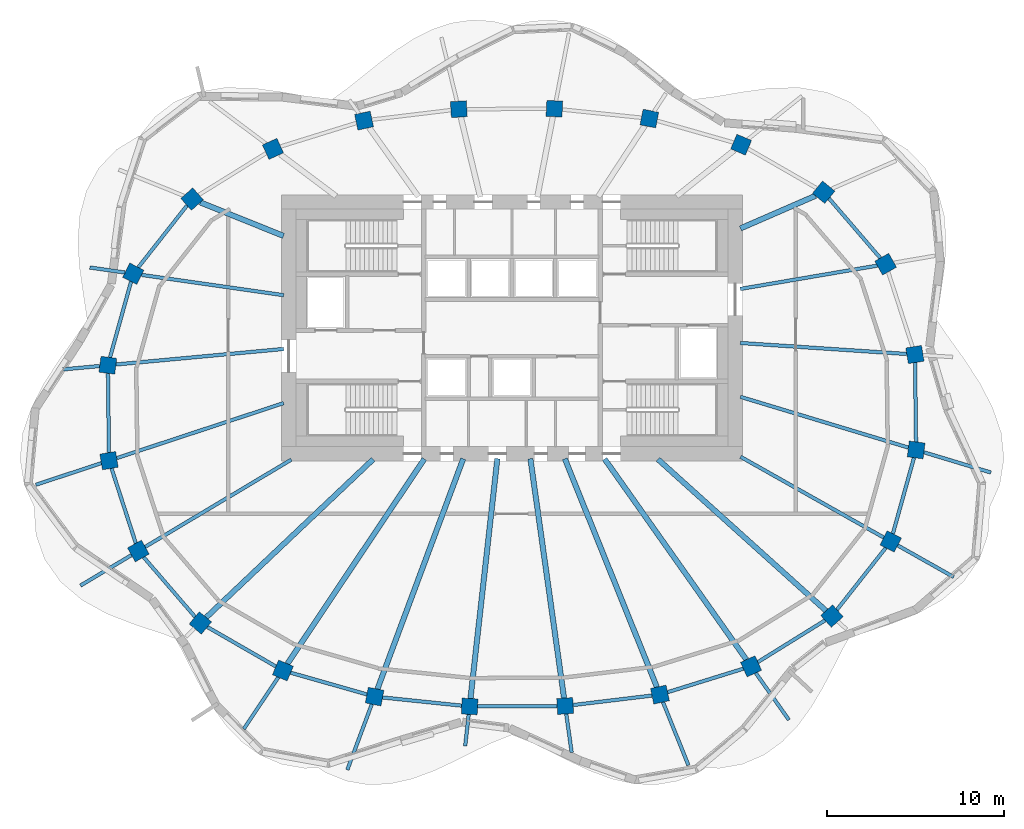
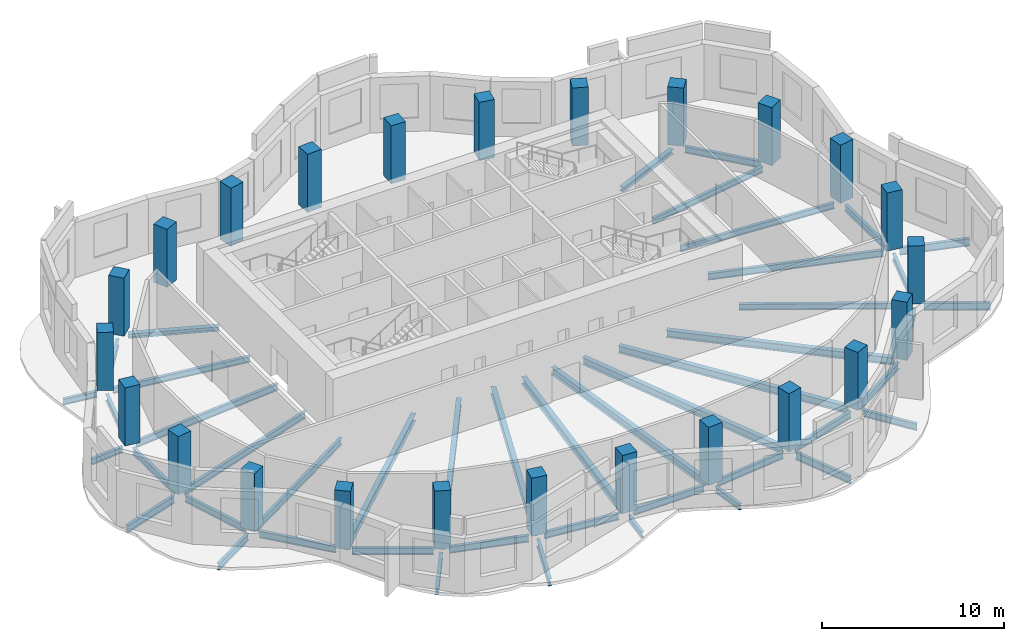
# One storey, part 1 of 8: 46 beams, 24 columns.
"""IFC4 building model written with IfcOpenShell, lengths in metres."""

import ifcopenshell
import ifcopenshell.guid

model = None  # the IFC model being written
_history = None  # IfcOwnerHistory: only IFC2X3 demands one
_inside = {}  # id of a spatial element -> (the spatial element, [elements in it])
_under = {}  # id of a project, library or spatial element -> (it, [spatial elements below it])
_declared = {}  # id of a project -> (the project, [libraries it declares])
_typed = {}  # id of a type object -> (the type object, [elements of that type])
_made_of = {}  # id of a material, layer set ... -> (it, [elements and type objects made of it])


def new_model(schema):
    """Start an empty IFC model of exactly this schema.

    Asked for "IFC4X3", IfcOpenShell would pick the latest addendum, in which some entities
    have other attributes; the version numbers below select the first issue.
    IFC2X3 requires an IfcOwnerHistory on every rooted entity: one is made here for all.
    """
    global model, _history
    if schema == "IFC4X3":
        model = ifcopenshell.file(schema_version=(4, 3, 0, 0))
    else:
        model = ifcopenshell.file(schema=schema)
    _inside.clear()
    _under.clear()
    _declared.clear()
    _typed.clear()
    _made_of.clear()
    _history = None
    if model.schema == "IFC2X3":
        org = make("IfcOrganization", Name="unknown")
        user = make(
            "IfcPersonAndOrganization",
            ThePerson=make("IfcPerson", FamilyName="unknown"),
            TheOrganization=org,
        )
        app = make(
            "IfcApplication",
            ApplicationDeveloper=org,
            Version="unknown",
            ApplicationFullName="unknown",
            ApplicationIdentifier="unknown",
        )
        _history = make(
            "IfcOwnerHistory",
            OwningUser=user,
            OwningApplication=app,
            ChangeAction="ADDED",
            CreationDate=0,
        )
    return model


def make(cls, **values):
    """One entity of the class cls with the attributes given. An attribute that is None is left unset."""
    return model.create_entity(
        cls, **{name: value for name, value in values.items() if value is not None}
    )


def rooted(cls, **values):
    """An entity with a GlobalId (a new one), such as an element, a storey or a relation."""
    return make(cls, GlobalId=ifcopenshell.guid.new(), OwnerHistory=_history, **values)


def si_unit(unit_type, name, prefix=None):
    """IfcSIUnit, for example si_unit("LENGTHUNIT", "METRE", prefix="MILLI")."""
    return make("IfcSIUnit", UnitType=unit_type, Prefix=prefix, Name=name)


def assignment(units):
    """IfcUnitAssignment: the units of a project."""
    return None if units is None else make("IfcUnitAssignment", Units=units)


def point(xyz):
    """IfcCartesianPoint."""
    return None if xyz is None else make("IfcCartesianPoint", Coordinates=xyz)


def direction(xyz):
    """IfcDirection."""
    return None if xyz is None else make("IfcDirection", DirectionRatios=xyz)


def frame(location, z_axis=None, x_axis=None):
    """IfcAxis2Placement3D, a coordinate frame: its origin and axes. An axis left out is left unset."""
    return make(
        "IfcAxis2Placement3D",
        Location=point(location),
        Axis=direction(z_axis),
        RefDirection=direction(x_axis),
    )


def frame_2d(location, x_axis=None):
    """IfcAxis2Placement2D, a coordinate frame in the plane: its origin and x axis."""
    return make(
        "IfcAxis2Placement2D", Location=point(location), RefDirection=direction(x_axis)
    )


def origin():
    """The frame at (0, 0, 0) with its axes left unset."""
    return frame((0.0, 0.0, 0.0))


def origin_2d():
    """The frame at (0, 0) in the plane with its x axis left unset."""
    return frame_2d((0.0, 0.0))


def place(relative_to, where):
    """IfcLocalPlacement: puts the frame where relative to a parent placement (None: the world)."""
    return make(
        "IfcLocalPlacement", PlacementRelTo=relative_to, RelativePlacement=where
    )


def context(
    kind, dimensions, precision=None, world=None, true_north=None, identifier=None
):
    """IfcGeometricRepresentationContext, for example the 3D "Model" context."""
    return make(
        "IfcGeometricRepresentationContext",
        ContextIdentifier=identifier,
        ContextType=kind,
        CoordinateSpaceDimension=dimensions,
        Precision=precision,
        WorldCoordinateSystem=world,
        TrueNorth=true_north,
    )


def subcontext(parent, identifier, kind, view, scale=None):
    """IfcGeometricRepresentationSubContext, for example "Body" below "Model"."""
    return make(
        "IfcGeometricRepresentationSubContext",
        ContextIdentifier=identifier,
        ContextType=kind,
        ParentContext=parent,
        TargetScale=scale,
        TargetView=view,
    )


def project(units=None, contexts=None):
    """IfcProject with its units and contexts."""
    return rooted(
        "IfcProject",
        Name="project",
        RepresentationContexts=contexts,
        UnitsInContext=assignment(units),
    )


def spatial(cls, under=None, at=None, **own):
    """A site, building, storey or space (cls), placed at a placement, below another one or the project."""
    s = rooted(cls, ObjectPlacement=at, **own)
    if under is not None:
        _under.setdefault(under.id(), (under, []))[1].append(s)
    return s


def profile(cls, at=None, kind="AREA", **sizes):
    """A parametric profile (cls). Its sizes go by their IFC names, for example OverallWidth=200.0."""
    return make(cls, ProfileType=kind, Position=at, **sizes)


def rectangle(**sizes):
    """IfcRectangleProfileDef."""
    return profile("IfcRectangleProfileDef", **sizes)


def i_section(**sizes):
    """IfcIShapeProfileDef."""
    return profile("IfcIShapeProfileDef", **sizes)


def extrude(swept, where, along, depth):
    """IfcExtrudedAreaSolid: the profile swept, set in the frame where, extruded along a direction by depth."""
    return make(
        "IfcExtrudedAreaSolid",
        SweptArea=swept,
        Position=where,
        ExtrudedDirection=direction(along),
        Depth=depth,
    )


def shape(context_of_items, identifier, shape_type, items):
    """IfcShapeRepresentation: the items that make up one representation, for example the "Body"."""
    return make(
        "IfcShapeRepresentation",
        ContextOfItems=context_of_items,
        RepresentationIdentifier=identifier,
        RepresentationType=shape_type,
        Items=items,
    )


def material(Name=None, Category=None):
    """IfcMaterial."""
    return make("IfcMaterial", Name=Name, Category=Category)


def material_profile(
    of_material, cross_section, Name=None, Category=None, Priority=None
):
    """IfcMaterialProfile: a cross section and its material."""
    return make(
        "IfcMaterialProfile",
        Name=Name,
        Material=of_material,
        Profile=cross_section,
        Priority=Priority,
        Category=Category,
    )


def profile_set(profiles, Name=None, composite=None):
    """IfcMaterialProfileSet."""
    return make(
        "IfcMaterialProfileSet",
        Name=Name,
        MaterialProfiles=profiles,
        CompositeProfile=composite,
    )


def made_of(thing, what):
    """Note that an element or type object is made of a material, layer set ...; save() writes the relation."""
    if what is not None:
        _made_of.setdefault(what.id(), (what, []))[1].append(thing)
    return thing


def type_object(cls, material=None, **own):
    """A type object (cls), such as IfcWallType, which elements share."""
    return made_of(rooted(cls, **own), material)


def element(
    cls,
    number,
    at=None,
    inside=None,
    cuts=None,
    type_object=None,
    material=None,
    context=None,
    identifier="Body",
    shape_type=None,
    held_by="IfcProductDefinitionShape",
    body=None,
    shapes=None,
    **own,
):
    """One element of the class cls, such as IfcWall. Its Tag is "e" and its number.

    at: its placement. inside: the storey or other place that contains it. cuts: it is an
    opening in that element (IfcRelVoidsElement). A single representation is given by context,
    identifier, shape_type and body (its items); several are given by shapes. held_by: the class
    of the entity that holds the representations. save() writes the other relations.
    """
    e = rooted(cls, Tag="e%d" % number, ObjectPlacement=at, **own)
    if body is not None:
        shapes = [shape(context, identifier, shape_type, body)]
    if shapes is not None:
        e.Representation = make(held_by, Representations=shapes)
    if inside is not None:
        _inside.setdefault(inside.id(), (inside, []))[1].append(e)
    if cuts is not None:
        rooted(
            "IfcRelVoidsElement", RelatingBuildingElement=cuts, RelatedOpeningElement=e
        )
    if type_object is not None:
        _typed.setdefault(type_object.id(), (type_object, []))[1].append(e)
    return made_of(e, material)


def aggregate(whole, parts):
    """IfcRelAggregates: a whole, such as a stair, and the parts it consists of."""
    return rooted("IfcRelAggregates", RelatingObject=whole, RelatedObjects=parts)


def save(model, path):
    """Write the relations noted so far, then the file.

    IfcRelAggregates (storeys below a building ...), IfcRelContainedInSpatialStructure (elements
    in a storey), IfcRelDefinesByType, IfcRelAssociatesMaterial and IfcRelDeclares: one each for
    every whole, place, type object, material and project.
    """
    for whole, parts in _under.values():
        aggregate(whole, parts)
    for where, things in _inside.values():
        rooted(
            "IfcRelContainedInSpatialStructure",
            RelatedElements=things,
            RelatingStructure=where,
        )
    for kind, things in _typed.values():
        rooted("IfcRelDefinesByType", RelatedObjects=things, RelatingType=kind)
    for what, things in _made_of.values():
        rooted("IfcRelAssociatesMaterial", RelatedObjects=things, RelatingMaterial=what)
    for by, libraries in _declared.values():
        rooted("IfcRelDeclares", RelatingContext=by, RelatedDefinitions=libraries)
    model.write(path)


model = new_model("IFC4")

# Units and contexts
model_context = context("Model", 3, precision=1e-05, world=origin(), true_north=direction((0.0, 1.0)))
body_context = subcontext(model_context, "Body", "Model", "MODEL_VIEW")
ifc_project = project(units=[si_unit("LENGTHUNIT", "METRE"), si_unit("AREAUNIT", "SQUARE_METRE"), si_unit("VOLUMEUNIT", "CUBIC_METRE"), si_unit("PLANEANGLEUNIT", "RADIAN"), si_unit("MASSUNIT", "GRAM", prefix="KILO")], contexts=[model_context])

# Site, building, storey
site_placement = place(None, origin())
site = spatial("IfcSite", under=ifc_project, at=site_placement, CompositionType="ELEMENT")
building_placement = place(site_placement, origin())
building = spatial("IfcBuilding", under=site, at=building_placement, Name="Rubra Terraces Tower", CompositionType="ELEMENT")
storey_placement = place(building_placement, frame((0.0, 0.0, 280.5)))
storey = spatial("IfcBuildingStorey", under=building, at=storey_placement, Name="L69", CompositionType="ELEMENT", Elevation=280.5)

# Columns
ifc_material_1 = material(Name="Concrete C50", Category="concrete")
ifc_material_profile_1 = material_profile(ifc_material_1, rectangle(XDim=0.89990234375, YDim=0.89990234375, at=origin_2d()), Name="RC 900x900")
ifc_profile_set_1 = profile_set([ifc_material_profile_1], Name="Concrete C50")
column_type = type_object("IfcColumnType", Name="RING COLUMN RC 900x900 C50", PredefinedType="COLUMN", material=ifc_profile_set_1)
for number, where, z_axis, x_axis, name in (
    (1, (22.73388671875, 2.992919921875, 0.0), (0.0, 0.0, 1.0), (-0.162062155721, 0.986780551938, 0.0), "column-L69-ring-01"),
    (2, (21.0810546875, 8.090087890625, 0.0), (0.0, 0.0, 1.0), (-0.490161823029, 0.8716314515, 0.0), "column-L69-ring-02"),
    (3, (17.583984375, 12.15087890625, 0.0), (0.0, 0.0, 1.0), (-0.770679191336, 0.637223339216, 0.0), "column-L69-ring-03"),
    (4, (12.927001953125, 14.83203125, 0.0), (0.0, 0.0, 1.0), (-0.92110553102, 0.389312985558, 0.0), "column-L69-ring-04"),
    (5, (7.7509765625, 16.306884765625, 0.0), (0.0, 0.0, 1.0), (-0.981936574306, 0.189210369799, 0.0), "column-L69-ring-05"),
    (6, (2.39208984375, 16.862060546875, 0.0), (0.0, 0.0, 1.0), (-0.998791416829, 0.049149828786, 0.0), "column-L69-ring-06"),
    (7, (-2.9990234375, 16.8359375, 0.0), (0.0, 0.0, 1.0), (-0.998059443319, -0.062268351524, 0.0), "column-L69-ring-07"),
    (8, (-8.346923828125, 16.19189453125, 0.0), (0.0, 0.0, 1.0), (-0.977944102772, -0.208866780156, 0.0), "column-L69-ring-08"),
    (9, (-13.487060546875, 14.595947265625, 0.0), (0.0, 0.0, 1.0), (-0.90972649622, -0.415208022652, 0.0), "column-L69-ring-09"),
    (10, (-18.051025390625, 11.762939453125, 0.0), (0.0, 0.0, 1.0), (-0.7456420961, -0.66634665492, 0.0), "column-L69-ring-10"),
    (11, (-21.366943359375, 7.553955078125, 0.0), (0.0, 0.0, 1.0), (-0.452078869866, -0.891977968013, 0.0), "column-L69-ring-11"),
    (12, (-22.802001953125, 2.388916015625, 0.0), (0.0, 0.0, 1.0), (-0.128535191473, -0.991704948336, 0.0), "column-L69-ring-12"),
    (13, (-22.73388671875, -2.992919921875, 0.0), (0.0, 0.0, 1.0), (0.162062155721, -0.986780551938, 0.0), "column-L69-ring-13"),
    (14, (-21.0810546875, -8.090087890625, 0.0), (0.0, 0.0, 1.0), (0.490161823029, -0.8716314515, 0.0), "column-L69-ring-14"),
    (15, (-17.583984375, -12.15087890625, 0.0), (0.0, 0.0, 1.0), (0.770679191336, -0.637223339216, 0.0), "column-L69-ring-15"),
    (16, (-12.927001953125, -14.83203125, 0.0), (0.0, 0.0, 1.0), (0.92110553102, -0.389312985558, 0.0), "column-L69-ring-16"),
    (17, (-7.7509765625, -16.306884765625, 0.0), (0.0, 0.0, 1.0), (0.981936574306, -0.189210369799, 0.0), "column-L69-ring-17"),
    (18, (-2.39208984375, -16.862060546875, 0.0), (0.0, 0.0, 1.0), (0.998791416829, -0.049149828786, 0.0), "column-L69-ring-18"),
    (19, (2.9990234375, -16.8359375, 0.0), (0.0, 0.0, 1.0), (0.998059443319, 0.062268351524, 0.0), "column-L69-ring-19"),
    (20, (8.346923828125, -16.19189453125, 0.0), (0.0, 0.0, 1.0), (0.977944102772, 0.208866780156, 0.0), "column-L69-ring-20"),
    (21, (13.487060546875, -14.595947265625, 0.0), (0.0, 0.0, 1.0), (0.90972649622, 0.415208022652, 0.0), "column-L69-ring-21"),
    (22, (18.051025390625, -11.762939453125, 0.0), (0.0, 0.0, 1.0), (0.7456420961, 0.66634665492, 0.0), "column-L69-ring-22"),
    (23, (21.366943359375, -7.553955078125, 0.0), (0.0, 0.0, 1.0), (0.452078869866, 0.891977968013, 0.0), "column-L69-ring-23"),
    (24, (22.802001953125, -2.388916015625, 0.0), (0.0, 0.0, 1.0), (0.128535191473, 0.991704948336, 0.0), "column-L69-ring-24"),
):
    element("IfcColumn", number, at=place(storey_placement, frame(where, z_axis=z_axis, x_axis=x_axis)), inside=storey, type_object=column_type, Name=name, PredefinedType="COLUMN", context=body_context, shape_type="SweptSolid", body=[
        extrude(rectangle(XDim=0.89990234375, YDim=0.89990234375, at=origin_2d()), origin(), (0.0, 0.0, 1.0), 3.89990234375),
    ])

# Beams
ifc_material_2 = material(Name="Steel Q355B", Category="steel")
ifc_material_profile_2 = material_profile(ifc_material_2, i_section(OverallWidth=0.199951171875, OverallDepth=0.39990234375, WebThickness=0.008056640625, FlangeThickness=0.012939453125, at=origin_2d()), Name="HN 400x200x8x13")
ifc_profile_set_2 = profile_set([ifc_material_profile_2], Name="Steel Q355B")
beam_type_1 = type_object("IfcBeamType", Name="CANTILEVER BEAM HN 400x200x8x13", PredefinedType="BEAM", material=ifc_profile_set_2)
beam_1_placement = place(storey_placement, frame((-21.8369140625, 7.62109375, -0.39990234375), z_axis=(-0.989964120176, 0.141318932785, 0.0), x_axis=(-0.141318932785, -0.989964120176, 0.0)))
element("IfcBeam", 25, at=beam_1_placement, inside=storey, type_object=beam_type_1, Name="beam-L69-cant-11", PredefinedType="BEAM", context=body_context, shape_type="SweptSolid", body=[
    extrude(i_section(OverallWidth=0.199951171875, OverallDepth=0.39990234375, WebThickness=0.008056640625, FlangeThickness=0.012939453125, at=origin_2d()), origin(), (0.0, 0.0, 1.0), 2.002197265625),
])
beam_2_placement = place(storey_placement, frame((-23.260986328125, 2.345947265625, -0.39990234375), z_axis=(-0.995758763833, -0.092002631759, 0.0), x_axis=(0.092002631759, -0.995758763833, 0.0)))
element("IfcBeam", 26, at=beam_2_placement, inside=storey, type_object=beam_type_1, Name="beam-L69-cant-12", PredefinedType="BEAM", context=body_context, shape_type="SweptSolid", body=[
    extrude(i_section(OverallWidth=0.199951171875, OverallDepth=0.39990234375, WebThickness=0.008056640625, FlangeThickness=0.012939453125, at=origin_2d()), origin(), (0.0, 0.0, 1.0), 2.085693359375),
])
beam_3_placement = place(storey_placement, frame((-2.44189453125, -17.31005859375, -0.39990234375), z_axis=(-0.111702290229, -0.99374171612, 0.0), x_axis=(0.99374171612, -0.111702290229, 0.0)))
element("IfcBeam", 27, at=beam_3_placement, inside=storey, type_object=beam_type_1, Name="beam-L69-cant-18", PredefinedType="BEAM", context=body_context, shape_type="SweptSolid", body=[
    extrude(i_section(OverallWidth=0.199951171875, OverallDepth=0.39990234375, WebThickness=0.008056640625, FlangeThickness=0.012939453125, at=origin_2d()), origin(), (0.0, 0.0, 1.0), 1.792236328125),
])
beam_4_placement = place(storey_placement, frame((3.06201171875, -17.282958984375, -0.39990234375), z_axis=(0.138898701437, -0.990306594313, 0.0), x_axis=(0.990306594313, 0.138898701437, 0.0)))
element("IfcBeam", 28, at=beam_4_placement, inside=storey, type_object=beam_type_1, Name="beam-L69-cant-19", PredefinedType="BEAM", context=body_context, shape_type="SweptSolid", body=[
    extrude(i_section(OverallWidth=0.199951171875, OverallDepth=0.39990234375, WebThickness=0.008056640625, FlangeThickness=0.012939453125, at=origin_2d()), origin(), (0.0, 0.0, 1.0), 2.1953125),
])
ifc_material_profile_3 = material_profile(ifc_material_2, i_section(OverallWidth=0.198974609375, OverallDepth=0.446044921875, WebThickness=0.008056640625, FlangeThickness=0.011962890625, at=origin_2d()), Name="HN 446x199x8x12")
ifc_profile_set_3 = profile_set([ifc_material_profile_3], Name="Steel Q355B")
beam_type_2 = type_object("IfcBeamType", Name="CANTILEVER BEAM HN 446x199x8x12", PredefinedType="BEAM", material=ifc_profile_set_3)
beam_5_placement = place(storey_placement, frame((-21.467041015625, -8.321044921875, -0.423095703125), z_axis=(-0.858537929112, -0.51275006024, 0.0), x_axis=(0.51275006024, -0.858537929112, 0.0)))
element("IfcBeam", 29, at=beam_5_placement, inside=storey, type_object=beam_type_2, Name="beam-L69-cant-14", PredefinedType="BEAM", context=body_context, shape_type="SweptSolid", body=[
    extrude(i_section(OverallWidth=0.198974609375, OverallDepth=0.446044921875, WebThickness=0.008056640625, FlangeThickness=0.011962890625, at=origin_2d()), origin(), (0.0, 0.0, 1.0), 3.3544921875),
])
beam_6_placement = place(storey_placement, frame((-13.181884765625, -15.212890625, -0.423095703125), z_axis=(-0.555983859412, -0.831193087119, 0.0), x_axis=(0.831193087119, -0.555983859412, 0.0)))
element("IfcBeam", 30, at=beam_6_placement, inside=storey, type_object=beam_type_2, Name="beam-L69-cant-16", PredefinedType="BEAM", context=body_context, shape_type="SweptSolid", body=[
    extrude(i_section(OverallWidth=0.198974609375, OverallDepth=0.446044921875, WebThickness=0.008056640625, FlangeThickness=0.011962890625, at=origin_2d()), origin(), (0.0, 0.0, 1.0), 3.509521484375),
])
beam_7_placement = place(storey_placement, frame((13.7509765625, -14.969970703125, -0.423095703125), z_axis=(0.576765924667, -0.816909461411, 0.0), x_axis=(0.816909461411, 0.576765924667, 0.0)))
element("IfcBeam", 31, at=beam_7_placement, inside=storey, type_object=beam_type_2, Name="beam-L69-cant-21", PredefinedType="BEAM", context=body_context, shape_type="SweptSolid", body=[
    extrude(i_section(OverallWidth=0.198974609375, OverallDepth=0.446044921875, WebThickness=0.008056640625, FlangeThickness=0.011962890625, at=origin_2d()), origin(), (0.0, 0.0, 1.0), 3.244140625),
])
ifc_material_profile_4 = material_profile(ifc_material_2, i_section(OverallWidth=0.198974609375, OverallDepth=0.49609375, WebThickness=0.009033203125, FlangeThickness=0.013916015625, at=origin_2d()), Name="HN 496x199x9x14")
ifc_profile_set_4 = profile_set([ifc_material_profile_4], Name="Steel Q355B")
beam_type_3 = type_object("IfcBeamType", Name="CANTILEVER BEAM HN 496x199x9x14", PredefinedType="BEAM", material=ifc_profile_set_4)
beam_8_placement = place(storey_placement, frame((-23.1669921875, -3.135986328125, -0.447998046875), z_axis=(-0.949780538411, -0.312916808201, 0.0), x_axis=(0.312916808201, -0.949780538411, 0.0)))
element("IfcBeam", 32, at=beam_8_placement, inside=storey, type_object=beam_type_3, Name="beam-L69-cant-13", PredefinedType="BEAM", context=body_context, shape_type="SweptSolid", body=[
    extrude(i_section(OverallWidth=0.198974609375, OverallDepth=0.49609375, WebThickness=0.009033203125, FlangeThickness=0.013916015625, at=origin_2d()), origin(), (0.0, 0.0, 1.0), 3.8955078125),
])
beam_9_placement = place(storey_placement, frame((-7.909912109375, -16.735107421875, -0.447998046875), z_axis=(-0.349192039845, -0.937051182865, 0.0), x_axis=(0.937051182865, -0.349192039845, 0.0)))
element("IfcBeam", 33, at=beam_9_placement, inside=storey, type_object=beam_type_3, Name="beam-L69-cant-17", PredefinedType="BEAM", context=body_context, shape_type="SweptSolid", body=[
    extrude(i_section(OverallWidth=0.198974609375, OverallDepth=0.49609375, WebThickness=0.009033203125, FlangeThickness=0.013916015625, at=origin_2d()), origin(), (0.0, 0.0, 1.0), 3.949462890625),
])
beam_10_placement = place(storey_placement, frame((8.51806640625, -16.615966796875, -0.447998046875), z_axis=(0.374086563965, -0.927393790502, 0.0), x_axis=(0.927393790502, 0.374086563965, 0.0)))
element("IfcBeam", 34, at=beam_10_placement, inside=storey, type_object=beam_type_3, Name="beam-L69-cant-20", PredefinedType="BEAM", context=body_context, shape_type="SweptSolid", body=[
    extrude(i_section(OverallWidth=0.198974609375, OverallDepth=0.49609375, WebThickness=0.009033203125, FlangeThickness=0.013916015625, at=origin_2d()), origin(), (0.0, 0.0, 1.0), 3.8388671875),
])
beam_11_placement = place(storey_placement, frame((21.759033203125, -7.77490234375, -0.447998046875), z_axis=(0.870943071103, -0.49138393024, 0.0), x_axis=(0.49138393024, 0.870943071103, 0.0)))
element("IfcBeam", 35, at=beam_11_placement, inside=storey, type_object=beam_type_3, Name="beam-L69-cant-23", PredefinedType="BEAM", context=body_context, shape_type="SweptSolid", body=[
    extrude(i_section(OverallWidth=0.198974609375, OverallDepth=0.49609375, WebThickness=0.009033203125, FlangeThickness=0.013916015625, at=origin_2d()), origin(), (0.0, 0.0, 1.0), 3.6328125),
])
beam_12_placement = place(storey_placement, frame((23.239013671875, -2.52099609375, -0.447998046875), z_axis=(0.957281879251, -0.289156365412, 0.0), x_axis=(0.289156365412, 0.957281879251, 0.0)))
element("IfcBeam", 36, at=beam_12_placement, inside=storey, type_object=beam_type_3, Name="beam-L69-cant-24", PredefinedType="BEAM", context=body_context, shape_type="SweptSolid", body=[
    extrude(i_section(OverallWidth=0.198974609375, OverallDepth=0.49609375, WebThickness=0.009033203125, FlangeThickness=0.013916015625, at=origin_2d()), origin(), (0.0, 0.0, 1.0), 3.94970703125),
])
ifc_material_profile_5 = material_profile(ifc_material_2, i_section(OverallWidth=0.300048828125, OverallDepth=0.48193359375, WebThickness=0.010986328125, FlangeThickness=0.014892578125, at=origin_2d()), Name="HM 482x300x11x15")
ifc_profile_set_5 = profile_set([ifc_material_profile_5], Name="Steel Q355B")
beam_type_4 = type_object("IfcBeamType", Name="FLOOR BEAM HM 482x300x11x15", PredefinedType="BEAM", material=ifc_profile_set_5)
beam_13_placement = place(storey_placement, frame((-17.2548828125, -11.839111328125, -0.44091796875), z_axis=(0.726101482513, 0.687587548674, 0.0), x_axis=(-0.687587548674, 0.726101482513, 0.0)))
element("IfcBeam", 37, at=beam_13_placement, inside=storey, type_object=beam_type_4, Name="beam-L69-floor-15", PredefinedType="BEAM", context=body_context, shape_type="SweptSolid", body=[
    extrude(i_section(OverallWidth=0.300048828125, OverallDepth=0.48193359375, WebThickness=0.010986328125, FlangeThickness=0.014892578125, at=origin_2d()), origin(), (0.0, 0.0, 1.0), 12.97607421875),
])
beam_14_placement = place(storey_placement, frame((-12.672119140625, -14.450927734375, -0.44091796875), z_axis=(0.55586735335, 0.831271006038, 0.0), x_axis=(-0.831271006038, 0.55586735335, 0.0)))
element("IfcBeam", 38, at=beam_14_placement, inside=storey, type_object=beam_type_4, Name="beam-L69-floor-16", PredefinedType="BEAM", context=body_context, shape_type="SweptSolid", body=[
    extrude(i_section(OverallWidth=0.300048828125, OverallDepth=0.48193359375, WebThickness=0.010986328125, FlangeThickness=0.014892578125, at=origin_2d()), origin(), (0.0, 0.0, 1.0), 13.8955078125),
])
beam_15_placement = place(storey_placement, frame((-7.592041015625, -15.87890625, -0.44091796875), z_axis=(0.349129035616, 0.937074658973, 0.0), x_axis=(-0.937074658973, 0.349129035616, 0.0)))
element("IfcBeam", 39, at=beam_15_placement, inside=storey, type_object=beam_type_4, Name="beam-L69-floor-17", PredefinedType="BEAM", context=body_context, shape_type="SweptSolid", body=[
    extrude(i_section(OverallWidth=0.300048828125, OverallDepth=0.48193359375, WebThickness=0.010986328125, FlangeThickness=0.014892578125, at=origin_2d()), origin(), (0.0, 0.0, 1.0), 13.86328125),
])
beam_16_placement = place(storey_placement, frame((-2.342041015625, -16.4140625, -0.44091796875), z_axis=(0.111334672678, 0.993782969596, 0.0), x_axis=(-0.993782969596, 0.111334672678, 0.0)))
element("IfcBeam", 40, at=beam_16_placement, inside=storey, type_object=beam_type_4, Name="beam-L69-floor-18", PredefinedType="BEAM", context=body_context, shape_type="SweptSolid", body=[
    extrude(i_section(OverallWidth=0.300048828125, OverallDepth=0.48193359375, WebThickness=0.010986328125, FlangeThickness=0.014892578125, at=origin_2d()), origin(), (0.0, 0.0, 1.0), 13.61767578125),
])
beam_17_placement = place(storey_placement, frame((2.93603515625, -16.388916015625, -0.44091796875), z_axis=(-0.139140748081, 0.990272615103, 0.0), x_axis=(-0.990272615103, -0.139140748081, 0.0)))
element("IfcBeam", 41, at=beam_17_placement, inside=storey, type_object=beam_type_4, Name="beam-L69-floor-19", PredefinedType="BEAM", context=body_context, shape_type="SweptSolid", body=[
    extrude(i_section(OverallWidth=0.300048828125, OverallDepth=0.48193359375, WebThickness=0.010986328125, FlangeThickness=0.014892578125, at=origin_2d()), origin(), (0.0, 0.0, 1.0), 13.640380859375),
])
beam_18_placement = place(storey_placement, frame((8.176025390625, -15.76806640625, -0.44091796875), z_axis=(-0.374083693877, 0.927394948215, 0.0), x_axis=(-0.927394948215, -0.374083693877, 0.0)))
element("IfcBeam", 42, at=beam_18_placement, inside=storey, type_object=beam_type_4, Name="beam-L69-floor-20", PredefinedType="BEAM", context=body_context, shape_type="SweptSolid", body=[
    extrude(i_section(OverallWidth=0.300048828125, OverallDepth=0.48193359375, WebThickness=0.010986328125, FlangeThickness=0.014892578125, at=origin_2d()), origin(), (0.0, 0.0, 1.0), 13.887451171875),
])
beam_19_placement = place(storey_placement, frame((13.222900390625, -14.221923828125, -0.44091796875), z_axis=(-0.576895514811, 0.816817950948, 0.0), x_axis=(-0.816817950948, -0.576895514811, 0.0)))
element("IfcBeam", 43, at=beam_19_placement, inside=storey, type_object=beam_type_4, Name="beam-L69-floor-21", PredefinedType="BEAM", context=body_context, shape_type="SweptSolid", body=[
    extrude(i_section(OverallWidth=0.300048828125, OverallDepth=0.48193359375, WebThickness=0.010986328125, FlangeThickness=0.014892578125, at=origin_2d()), origin(), (0.0, 0.0, 1.0), 13.8583984375),
])
beam_20_placement = place(storey_placement, frame((17.715087890625, -11.4599609375, -0.44091796875), z_axis=(-0.742980094736, 0.669313513105, 0.0), x_axis=(-0.669313513105, -0.742980094736, 0.0)))
element("IfcBeam", 44, at=beam_20_placement, inside=storey, type_object=beam_type_4, Name="beam-L69-floor-22", PredefinedType="BEAM", context=body_context, shape_type="SweptSolid", body=[
    extrude(i_section(OverallWidth=0.300048828125, OverallDepth=0.48193359375, WebThickness=0.010986328125, FlangeThickness=0.014892578125, at=origin_2d()), origin(), (0.0, 0.0, 1.0), 12.759521484375),
])
ifc_material_profile_6 = material_profile(ifc_material_2, i_section(OverallWidth=0.199951171875, OverallDepth=0.39990234375, WebThickness=0.008056640625, FlangeThickness=0.012939453125, at=origin_2d()), Name="HN 400x200x8x13")
ifc_profile_set_6 = profile_set([ifc_material_profile_6], Name="Steel Q355B")
beam_type_5 = type_object("IfcBeamType", Name="FLOOR BEAM HN 400x200x8x13", PredefinedType="BEAM", material=ifc_profile_set_6)
beam_21_placement = place(storey_placement, frame((22.27294921875, 3.02392578125, -0.39990234375), z_axis=(-0.997814209988, 0.066081785285, 0.0), x_axis=(-0.066081785285, -0.997814209988, 0.0)))
element("IfcBeam", 45, at=beam_21_placement, inside=storey, type_object=beam_type_5, Name="beam-L69-floor-01", PredefinedType="BEAM", context=body_context, shape_type="SweptSolid", body=[
    extrude(i_section(OverallWidth=0.199951171875, OverallDepth=0.39990234375, WebThickness=0.008056640625, FlangeThickness=0.012939453125, at=origin_2d()), origin(), (0.0, 0.0, 1.0), 9.41357421875),
])
beam_22_placement = place(storey_placement, frame((20.610107421875, 8.010009765625, -0.39990234375), z_axis=(-0.985810425856, -0.167862456415, 0.0), x_axis=(0.167862456415, -0.985810425856, 0.0)))
element("IfcBeam", 46, at=beam_22_placement, inside=storey, type_object=beam_type_5, Name="beam-L69-floor-02", PredefinedType="BEAM", context=body_context, shape_type="SweptSolid", body=[
    extrude(i_section(OverallWidth=0.199951171875, OverallDepth=0.39990234375, WebThickness=0.008056640625, FlangeThickness=0.012939453125, at=origin_2d()), origin(), (0.0, 0.0, 1.0), 7.83935546875),
])
beam_23_placement = place(storey_placement, frame((-20.89697265625, 7.487060546875, -0.39990234375), z_axis=(0.98993441274, -0.141526882509, 0.0), x_axis=(0.141526882509, 0.98993441274, 0.0)))
element("IfcBeam", 47, at=beam_23_placement, inside=storey, type_object=beam_type_5, Name="beam-L69-floor-11", PredefinedType="BEAM", context=body_context, shape_type="SweptSolid", body=[
    extrude(i_section(OverallWidth=0.199951171875, OverallDepth=0.39990234375, WebThickness=0.008056640625, FlangeThickness=0.012939453125, at=origin_2d()), origin(), (0.0, 0.0, 1.0), 8.097412109375),
])
beam_24_placement = place(storey_placement, frame((20.97509765625, -7.3330078125, -0.39990234375), z_axis=(-0.870973270007, 0.491330400986, 0.0), x_axis=(-0.491330400986, -0.870973270007, 0.0)))
element("IfcBeam", 48, at=beam_24_placement, inside=storey, type_object=beam_type_5, Name="beam-L69-floor-23", PredefinedType="BEAM", context=body_context, shape_type="SweptSolid", body=[
    extrude(i_section(OverallWidth=0.199951171875, OverallDepth=0.39990234375, WebThickness=0.008056640625, FlangeThickness=0.012939453125, at=origin_2d()), origin(), (0.0, 0.0, 1.0), 9.277099609375),
])
ifc_material_profile_7 = material_profile(ifc_material_2, i_section(OverallWidth=0.198974609375, OverallDepth=0.446044921875, WebThickness=0.008056640625, FlangeThickness=0.011962890625, at=origin_2d()), Name="HN 446x199x8x12")
ifc_profile_set_7 = profile_set([ifc_material_profile_7], Name="Steel Q355B")
beam_type_6 = type_object("IfcBeamType", Name="FLOOR BEAM HN 446x199x8x12", PredefinedType="BEAM", material=ifc_profile_set_7)
beam_25_placement = place(storey_placement, frame((-22.343017578125, 2.431884765625, -0.423095703125), z_axis=(0.995739538303, 0.092210475874, 0.0), x_axis=(-0.092210475874, 0.995739538303, 0.0)))
element("IfcBeam", 49, at=beam_25_placement, inside=storey, type_object=beam_type_6, Name="beam-L69-floor-12", PredefinedType="BEAM", context=body_context, shape_type="SweptSolid", body=[
    extrude(i_section(OverallWidth=0.198974609375, OverallDepth=0.446044921875, WebThickness=0.008056640625, FlangeThickness=0.011962890625, at=origin_2d()), origin(), (0.0, 0.0, 1.0), 9.50244140625),
])
beam_26_placement = place(storey_placement, frame((-22.301025390625, -2.85009765625, -0.423095703125), z_axis=(0.949746725795, 0.313019419273, 0.0), x_axis=(-0.313019419273, 0.949746725795, 0.0)))
element("IfcBeam", 50, at=beam_26_placement, inside=storey, type_object=beam_type_6, Name="beam-L69-floor-13", PredefinedType="BEAM", context=body_context, shape_type="SweptSolid", body=[
    extrude(i_section(OverallWidth=0.198974609375, OverallDepth=0.446044921875, WebThickness=0.008056640625, FlangeThickness=0.011962890625, at=origin_2d()), origin(), (0.0, 0.0, 1.0), 9.913330078125),
])
beam_27_placement = place(storey_placement, frame((-20.695068359375, -7.85888671875, -0.423095703125), z_axis=(0.858552756119, 0.512725233396, 0.0), x_axis=(-0.512725233396, 0.858552756119, 0.0)))
element("IfcBeam", 51, at=beam_27_placement, inside=storey, type_object=beam_type_6, Name="beam-L69-floor-14", PredefinedType="BEAM", context=body_context, shape_type="SweptSolid", body=[
    extrude(i_section(OverallWidth=0.198974609375, OverallDepth=0.446044921875, WebThickness=0.008056640625, FlangeThickness=0.011962890625, at=origin_2d()), origin(), (0.0, 0.0, 1.0), 9.59765625),
])
beam_28_placement = place(storey_placement, frame((22.364990234375, -2.257080078125, -0.423095703125), z_axis=(-0.957268105474, 0.289201960992, 0.0), x_axis=(-0.289201960992, -0.957268105474, 0.0)))
element("IfcBeam", 52, at=beam_28_placement, inside=storey, type_object=beam_type_6, Name="beam-L69-floor-24", PredefinedType="BEAM", context=body_context, shape_type="SweptSolid", body=[
    extrude(i_section(OverallWidth=0.198974609375, OverallDepth=0.446044921875, WebThickness=0.008056640625, FlangeThickness=0.011962890625, at=origin_2d()), origin(), (0.0, 0.0, 1.0), 9.903076171875),
])
ifc_material_profile_8 = material_profile(ifc_material_2, i_section(OverallWidth=0.304931640625, OverallDepth=0.300048828125, WebThickness=0.014892578125, FlangeThickness=0.014892578125, at=origin_2d()), Name="HW 300x305x15x15")
ifc_profile_set_8 = profile_set([ifc_material_profile_8], Name="Steel Q355B")
beam_type_7 = type_object("IfcBeamType", Name="FLOOR BEAM HW 300x305x15x15", PredefinedType="BEAM", material=ifc_profile_set_8)
beam_29_placement = place(storey_placement, frame((17.12109375, 11.949951171875, -0.35009765625), z_axis=(-0.916958146743, -0.398983404569, 0.0), x_axis=(0.398983404569, -0.916958146743, 0.0)))
element("IfcBeam", 53, at=beam_29_placement, inside=storey, type_object=beam_type_7, Name="beam-L69-floor-03", PredefinedType="BEAM", context=body_context, shape_type="SweptSolid", body=[
    extrude(i_section(OverallWidth=0.304931640625, OverallDepth=0.300048828125, WebThickness=0.014892578125, FlangeThickness=0.014892578125, at=origin_2d()), origin(), (0.0, 0.0, 1.0), 4.614501953125),
])
beam_30_placement = place(storey_placement, frame((-17.5849609375, 11.575927734375, -0.35009765625), z_axis=(0.927692985207, -0.373343977047, 0.0), x_axis=(0.373343977047, 0.927692985207, 0.0)))
element("IfcBeam", 54, at=beam_30_placement, inside=storey, type_object=beam_type_7, Name="beam-L69-floor-10", PredefinedType="BEAM", context=body_context, shape_type="SweptSolid", body=[
    extrude(i_section(OverallWidth=0.304931640625, OverallDepth=0.300048828125, WebThickness=0.014892578125, FlangeThickness=0.014892578125, at=origin_2d()), origin(), (0.0, 0.0, 1.0), 5.06201171875),
])
ifc_material_profile_9 = material_profile(ifc_material_2, i_section(OverallWidth=0.198974609375, OverallDepth=0.446044921875, WebThickness=0.008056640625, FlangeThickness=0.011962890625, at=origin_2d()), Name="HN 446x199x8x12")
ifc_profile_set_9 = profile_set([ifc_material_profile_9], Name="Steel Q355B")
beam_type_8 = type_object("IfcBeamType", Name="SPANDREL BEAM HN 446x199x8x12", PredefinedType="SPANDREL", material=ifc_profile_set_9)
beam_31_placement = place(storey_placement, frame((20.781005859375, 8.43798828125, -0.423095703125), z_axis=(-0.652473175209, 0.757811820726, 0.0), x_axis=(-0.757811820726, -0.652473175209, 0.0)))
element("IfcBeam", 55, at=beam_31_placement, inside=storey, type_object=beam_type_8, Name="beam-L69-spandrel-02", PredefinedType="SPANDREL", context=body_context, shape_type="SweptSolid", body=[
    extrude(i_section(OverallWidth=0.198974609375, OverallDepth=0.446044921875, WebThickness=0.008056640625, FlangeThickness=0.011962890625, at=origin_2d()), origin(), (0.0, 0.0, 1.0), 4.44287109375),
])
beam_32_placement = place(storey_placement, frame((-18.333984375, 11.404052734375, -0.423095703125), z_axis=(-0.61888661349, -0.785480336891, 0.0), x_axis=(0.785480336891, -0.61888661349, 0.0)))
element("IfcBeam", 56, at=beam_32_placement, inside=storey, type_object=beam_type_8, Name="beam-L69-spandrel-10", PredefinedType="SPANDREL", context=body_context, shape_type="SweptSolid", body=[
    extrude(i_section(OverallWidth=0.198974609375, OverallDepth=0.446044921875, WebThickness=0.008056640625, FlangeThickness=0.011962890625, at=origin_2d()), origin(), (0.0, 0.0, 1.0), 4.44189453125),
])
beam_33_placement = place(storey_placement, frame((-21.489990234375, 7.112060546875, -0.423095703125), z_axis=(-0.267564585696, -0.963539927809, 0.0), x_axis=(0.963539927809, -0.267564585696, 0.0)))
element("IfcBeam", 57, at=beam_33_placement, inside=storey, type_object=beam_type_8, Name="beam-L69-spandrel-11", PredefinedType="SPANDREL", context=body_context, shape_type="SweptSolid", body=[
    extrude(i_section(OverallWidth=0.198974609375, OverallDepth=0.446044921875, WebThickness=0.008056640625, FlangeThickness=0.011962890625, at=origin_2d()), origin(), (0.0, 0.0, 1.0), 4.447265625),
])
beam_34_placement = place(storey_placement, frame((-22.7958984375, 1.93408203125, -0.423095703125), z_axis=(0.01250038801, -0.999921867097, 0.0), x_axis=(0.999921867097, 0.01250038801, 0.0)))
element("IfcBeam", 58, at=beam_34_placement, inside=storey, type_object=beam_type_8, Name="beam-L69-spandrel-12", PredefinedType="SPANDREL", context=body_context, shape_type="SweptSolid", body=[
    extrude(i_section(OverallWidth=0.198974609375, OverallDepth=0.446044921875, WebThickness=0.008056640625, FlangeThickness=0.011962890625, at=origin_2d()), origin(), (0.0, 0.0, 1.0), 4.472412109375),
])
beam_35_placement = place(storey_placement, frame((-22.593994140625, -3.426025390625, -0.423095703125), z_axis=(0.308536942246, -0.951212360764, 0.0), x_axis=(0.951212360764, 0.308536942246, 0.0)))
element("IfcBeam", 59, at=beam_35_placement, inside=storey, type_object=beam_type_8, Name="beam-L69-spandrel-13", PredefinedType="SPANDREL", context=body_context, shape_type="SweptSolid", body=[
    extrude(i_section(OverallWidth=0.198974609375, OverallDepth=0.446044921875, WebThickness=0.008056640625, FlangeThickness=0.011962890625, at=origin_2d()), origin(), (0.0, 0.0, 1.0), 4.44384765625),
])
beam_36_placement = place(storey_placement, frame((-20.781005859375, -8.43798828125, -0.423095703125), z_axis=(0.652473175209, -0.757811820726, 0.0), x_axis=(0.757811820726, 0.652473175209, 0.0)))
element("IfcBeam", 60, at=beam_36_placement, inside=storey, type_object=beam_type_8, Name="beam-L69-spandrel-14", PredefinedType="SPANDREL", context=body_context, shape_type="SweptSolid", body=[
    extrude(i_section(OverallWidth=0.198974609375, OverallDepth=0.446044921875, WebThickness=0.008056640625, FlangeThickness=0.011962890625, at=origin_2d()), origin(), (0.0, 0.0, 1.0), 4.44287109375),
])
beam_37_placement = place(storey_placement, frame((-17.18798828125, -12.37890625, -0.423095703125), z_axis=(0.866616005945, -0.498975648945, 0.0), x_axis=(0.498975648945, 0.866616005945, 0.0)))
element("IfcBeam", 61, at=beam_37_placement, inside=storey, type_object=beam_type_8, Name="beam-L69-spandrel-15", PredefinedType="SPANDREL", context=body_context, shape_type="SweptSolid", body=[
    extrude(i_section(OverallWidth=0.198974609375, OverallDepth=0.446044921875, WebThickness=0.008056640625, FlangeThickness=0.011962890625, at=origin_2d()), origin(), (0.0, 0.0, 1.0), 4.463134765625),
])
beam_38_placement = place(storey_placement, frame((-12.490966796875, -14.9560546875, -0.423095703125), z_axis=(0.961713024643, -0.27405849418, 0.0), x_axis=(0.27405849418, 0.961713024643, 0.0)))
element("IfcBeam", 62, at=beam_38_placement, inside=storey, type_object=beam_type_8, Name="beam-L69-spandrel-16", PredefinedType="SPANDREL", context=body_context, shape_type="SweptSolid", body=[
    extrude(i_section(OverallWidth=0.198974609375, OverallDepth=0.446044921875, WebThickness=0.008056640625, FlangeThickness=0.011962890625, at=origin_2d()), origin(), (0.0, 0.0, 1.0), 4.477294921875),
])
beam_39_placement = place(storey_placement, frame((-7.302001953125, -16.35400390625, -0.423095703125), z_axis=(0.994684107425, -0.102973425873, 0.0), x_axis=(0.102973425873, 0.994684107425, 0.0)))
element("IfcBeam", 63, at=beam_39_placement, inside=storey, type_object=beam_type_8, Name="beam-L69-spandrel-17", PredefinedType="SPANDREL", context=body_context, shape_type="SweptSolid", body=[
    extrude(i_section(OverallWidth=0.198974609375, OverallDepth=0.446044921875, WebThickness=0.008056640625, FlangeThickness=0.011962890625, at=origin_2d()), origin(), (0.0, 0.0, 1.0), 4.48583984375),
])
beam_40_placement = place(storey_placement, frame((-1.94091796875, -16.860107421875, -0.423095703125), z_axis=(0.999987753188, 0.004949088244, 0.0), x_axis=(-0.004949088244, 0.999987753188, 0.0)))
element("IfcBeam", 64, at=beam_40_placement, inside=storey, type_object=beam_type_8, Name="beam-L69-spandrel-18", PredefinedType="SPANDREL", context=body_context, shape_type="SweptSolid", body=[
    extrude(i_section(OverallWidth=0.198974609375, OverallDepth=0.446044921875, WebThickness=0.008056640625, FlangeThickness=0.011962890625, at=origin_2d()), origin(), (0.0, 0.0, 1.0), 4.489013671875),
])
beam_41_placement = place(storey_placement, frame((3.447021484375, -16.781982421875, -0.423095703125), z_axis=(0.992829862118, 0.119536040116, 0.0), x_axis=(-0.119536040116, 0.992829862118, 0.0)))
element("IfcBeam", 65, at=beam_41_placement, inside=storey, type_object=beam_type_8, Name="beam-L69-spandrel-19", PredefinedType="SPANDREL", context=body_context, shape_type="SweptSolid", body=[
    extrude(i_section(OverallWidth=0.198974609375, OverallDepth=0.446044921875, WebThickness=0.008056640625, FlangeThickness=0.011962890625, at=origin_2d()), origin(), (0.0, 0.0, 1.0), 4.483154296875),
])
beam_42_placement = place(storey_placement, frame((8.779052734375, -16.05810546875, -0.423095703125), z_axis=(0.955035382264, 0.296491852541, 0.0), x_axis=(-0.296491852541, 0.955035382264, 0.0)))
element("IfcBeam", 66, at=beam_42_placement, inside=storey, type_object=beam_type_8, Name="beam-L69-spandrel-20", PredefinedType="SPANDREL", context=body_context, shape_type="SweptSolid", body=[
    extrude(i_section(OverallWidth=0.198974609375, OverallDepth=0.446044921875, WebThickness=0.008056640625, FlangeThickness=0.011962890625, at=origin_2d()), origin(), (0.0, 0.0, 1.0), 4.47607421875),
])
beam_43_placement = place(storey_placement, frame((13.8720703125, -14.35693359375, -0.423095703125), z_axis=(0.849641857012, 0.527360137679, 0.0), x_axis=(-0.527360137679, 0.849641857012, 0.0)))
element("IfcBeam", 67, at=beam_43_placement, inside=storey, type_object=beam_type_8, Name="beam-L69-spandrel-21", PredefinedType="SPANDREL", context=body_context, shape_type="SweptSolid", body=[
    extrude(i_section(OverallWidth=0.198974609375, OverallDepth=0.446044921875, WebThickness=0.008056640625, FlangeThickness=0.011962890625, at=origin_2d()), origin(), (0.0, 0.0, 1.0), 4.4619140625),
])
beam_44_placement = place(storey_placement, frame((18.333984375, -11.404052734375, -0.423095703125), z_axis=(0.61888661349, 0.785480336891, 0.0), x_axis=(-0.785480336891, 0.61888661349, 0.0)))
element("IfcBeam", 68, at=beam_44_placement, inside=storey, type_object=beam_type_8, Name="beam-L69-spandrel-22", PredefinedType="SPANDREL", context=body_context, shape_type="SweptSolid", body=[
    extrude(i_section(OverallWidth=0.198974609375, OverallDepth=0.446044921875, WebThickness=0.008056640625, FlangeThickness=0.011962890625, at=origin_2d()), origin(), (0.0, 0.0, 1.0), 4.44189453125),
])
beam_45_placement = place(storey_placement, frame((21.489990234375, -7.112060546875, -0.423095703125), z_axis=(0.267564585696, 0.963539927809, 0.0), x_axis=(-0.963539927809, 0.267564585696, 0.0)))
element("IfcBeam", 69, at=beam_45_placement, inside=storey, type_object=beam_type_8, Name="beam-L69-spandrel-23", PredefinedType="SPANDREL", context=body_context, shape_type="SweptSolid", body=[
    extrude(i_section(OverallWidth=0.198974609375, OverallDepth=0.446044921875, WebThickness=0.008056640625, FlangeThickness=0.011962890625, at=origin_2d()), origin(), (0.0, 0.0, 1.0), 4.447265625),
])
beam_46_placement = place(storey_placement, frame((22.7958984375, -1.93408203125, -0.423095703125), z_axis=(-0.01250038801, 0.999921867097, 0.0), x_axis=(-0.999921867097, -0.01250038801, 0.0)))
element("IfcBeam", 70, at=beam_46_placement, inside=storey, type_object=beam_type_8, Name="beam-L69-spandrel-24", PredefinedType="SPANDREL", context=body_context, shape_type="SweptSolid", body=[
    extrude(i_section(OverallWidth=0.198974609375, OverallDepth=0.446044921875, WebThickness=0.008056640625, FlangeThickness=0.011962890625, at=origin_2d()), origin(), (0.0, 0.0, 1.0), 4.472412109375),
])

save(model, "model.ifc")
